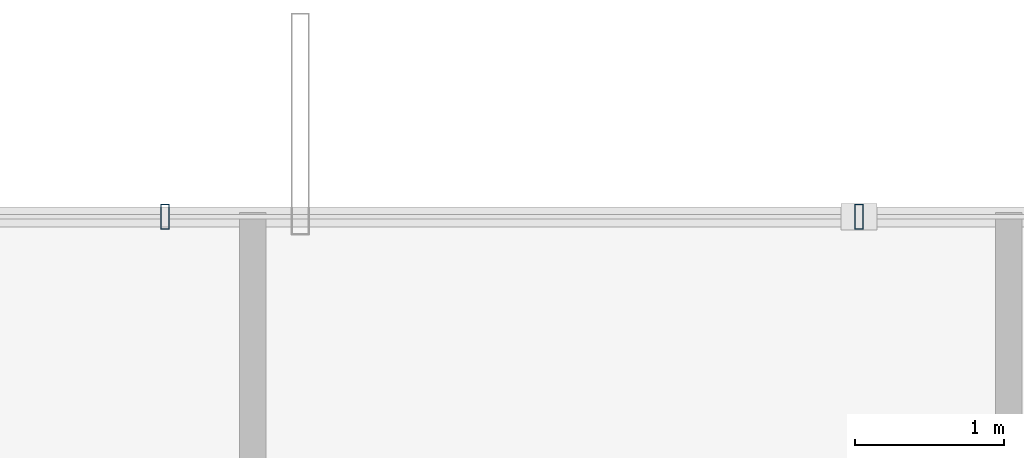
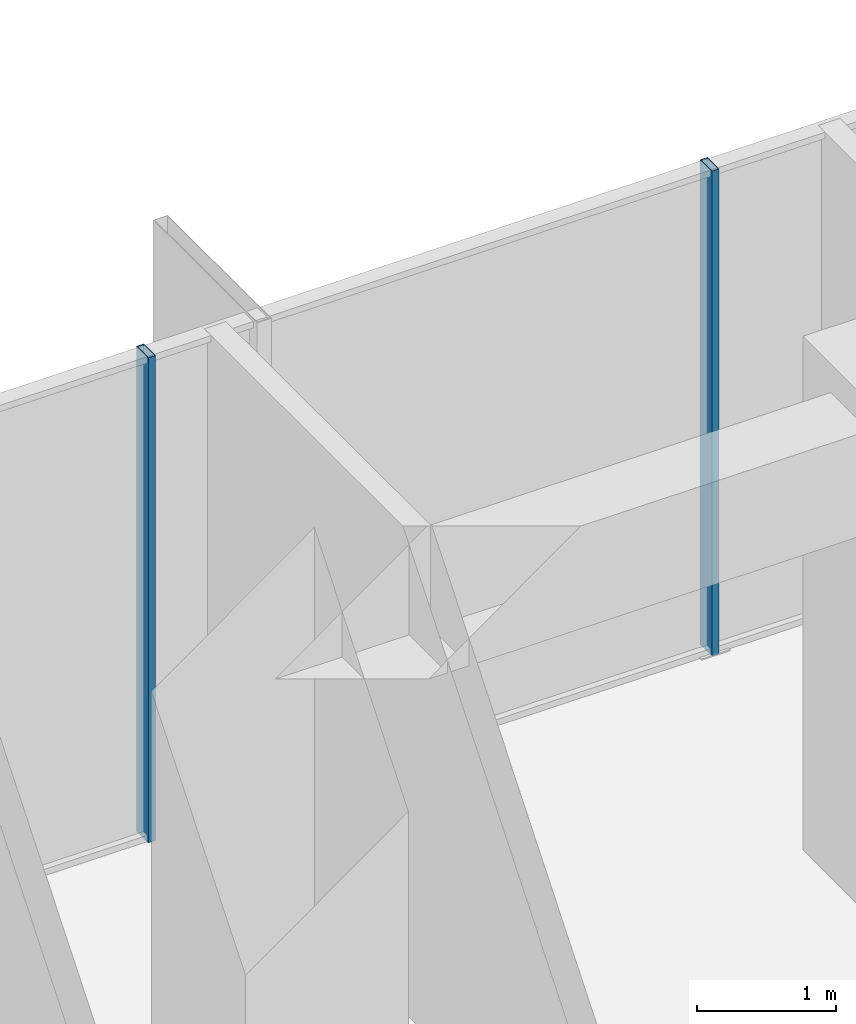
# One storey, part 27 of 39: 2 members, 1 element without a shape of its own.
"""IFC4 building model written with IfcOpenShell, lengths in metres."""

import ifcopenshell
import ifcopenshell.guid

model = None  # the IFC model being written
_history = None  # IfcOwnerHistory: only IFC2X3 demands one
_inside = {}  # id of a spatial element -> (the spatial element, [elements in it])
_under = {}  # id of a project, library or spatial element -> (it, [spatial elements below it])
_declared = {}  # id of a project -> (the project, [libraries it declares])
_typed = {}  # id of a type object -> (the type object, [elements of that type])
_made_of = {}  # id of a material, layer set ... -> (it, [elements and type objects made of it])


def new_model(schema):
    """Start an empty IFC model of exactly this schema.

    Asked for "IFC4X3", IfcOpenShell would pick the latest addendum, in which some entities
    have other attributes; the version numbers below select the first issue.
    IFC2X3 requires an IfcOwnerHistory on every rooted entity: one is made here for all.
    """
    global model, _history
    if schema == "IFC4X3":
        model = ifcopenshell.file(schema_version=(4, 3, 0, 0))
    else:
        model = ifcopenshell.file(schema=schema)
    _inside.clear()
    _under.clear()
    _declared.clear()
    _typed.clear()
    _made_of.clear()
    _history = None
    if model.schema == "IFC2X3":
        org = make("IfcOrganization", Name="unknown")
        user = make(
            "IfcPersonAndOrganization",
            ThePerson=make("IfcPerson", FamilyName="unknown"),
            TheOrganization=org,
        )
        app = make(
            "IfcApplication",
            ApplicationDeveloper=org,
            Version="unknown",
            ApplicationFullName="unknown",
            ApplicationIdentifier="unknown",
        )
        _history = make(
            "IfcOwnerHistory",
            OwningUser=user,
            OwningApplication=app,
            ChangeAction="ADDED",
            CreationDate=0,
        )
    return model


def make(cls, **values):
    """One entity of the class cls with the attributes given. An attribute that is None is left unset."""
    return model.create_entity(
        cls, **{name: value for name, value in values.items() if value is not None}
    )


def rooted(cls, **values):
    """An entity with a GlobalId (a new one), such as an element, a storey or a relation."""
    return make(cls, GlobalId=ifcopenshell.guid.new(), OwnerHistory=_history, **values)


def si_unit(unit_type, name, prefix=None):
    """IfcSIUnit, for example si_unit("LENGTHUNIT", "METRE", prefix="MILLI")."""
    return make("IfcSIUnit", UnitType=unit_type, Prefix=prefix, Name=name)


def assignment(units):
    """IfcUnitAssignment: the units of a project."""
    return None if units is None else make("IfcUnitAssignment", Units=units)


def point(xyz):
    """IfcCartesianPoint."""
    return None if xyz is None else make("IfcCartesianPoint", Coordinates=xyz)


def direction(xyz):
    """IfcDirection."""
    return None if xyz is None else make("IfcDirection", DirectionRatios=xyz)


def frame(location, z_axis=None, x_axis=None):
    """IfcAxis2Placement3D, a coordinate frame: its origin and axes. An axis left out is left unset."""
    return make(
        "IfcAxis2Placement3D",
        Location=point(location),
        Axis=direction(z_axis),
        RefDirection=direction(x_axis),
    )


def frame_2d(location, x_axis=None):
    """IfcAxis2Placement2D, a coordinate frame in the plane: its origin and x axis."""
    return make(
        "IfcAxis2Placement2D", Location=point(location), RefDirection=direction(x_axis)
    )


def origin():
    """The frame at (0, 0, 0) with its axes left unset."""
    return frame((0.0, 0.0, 0.0))


def origin_2d():
    """The frame at (0, 0) in the plane with its x axis left unset."""
    return frame_2d((0.0, 0.0))


def place(relative_to, where):
    """IfcLocalPlacement: puts the frame where relative to a parent placement (None: the world)."""
    return make(
        "IfcLocalPlacement", PlacementRelTo=relative_to, RelativePlacement=where
    )


def context(
    kind, dimensions, precision=None, world=None, true_north=None, identifier=None
):
    """IfcGeometricRepresentationContext, for example the 3D "Model" context."""
    return make(
        "IfcGeometricRepresentationContext",
        ContextIdentifier=identifier,
        ContextType=kind,
        CoordinateSpaceDimension=dimensions,
        Precision=precision,
        WorldCoordinateSystem=world,
        TrueNorth=true_north,
    )


def subcontext(parent, identifier, kind, view, scale=None):
    """IfcGeometricRepresentationSubContext, for example "Body" below "Model"."""
    return make(
        "IfcGeometricRepresentationSubContext",
        ContextIdentifier=identifier,
        ContextType=kind,
        ParentContext=parent,
        TargetScale=scale,
        TargetView=view,
    )


def project(units=None, contexts=None):
    """IfcProject with its units and contexts."""
    return rooted(
        "IfcProject",
        Name="project",
        RepresentationContexts=contexts,
        UnitsInContext=assignment(units),
    )


def spatial(cls, under=None, at=None, **own):
    """A site, building, storey or space (cls), placed at a placement, below another one or the project."""
    s = rooted(cls, ObjectPlacement=at, **own)
    if under is not None:
        _under.setdefault(under.id(), (under, []))[1].append(s)
    return s


def profile(cls, at=None, kind="AREA", **sizes):
    """A parametric profile (cls). Its sizes go by their IFC names, for example OverallWidth=200.0."""
    return make(cls, ProfileType=kind, Position=at, **sizes)


def hollow_rectangle(**sizes):
    """IfcRectangleHollowProfileDef."""
    return profile("IfcRectangleHollowProfileDef", **sizes)


def extrude(swept, where, along, depth):
    """IfcExtrudedAreaSolid: the profile swept, set in the frame where, extruded along a direction by depth."""
    return make(
        "IfcExtrudedAreaSolid",
        SweptArea=swept,
        Position=where,
        ExtrudedDirection=direction(along),
        Depth=depth,
    )


def shape(context_of_items, identifier, shape_type, items):
    """IfcShapeRepresentation: the items that make up one representation, for example the "Body"."""
    return make(
        "IfcShapeRepresentation",
        ContextOfItems=context_of_items,
        RepresentationIdentifier=identifier,
        RepresentationType=shape_type,
        Items=items,
    )


def source(mapping_origin, context_of_items, identifier, shape_type, items):
    """IfcRepresentationMap: a shape defined once, which mapped items show again and again."""
    return make(
        "IfcRepresentationMap",
        MappingOrigin=mapping_origin,
        MappedRepresentation=shape(context_of_items, identifier, shape_type, items),
    )


def transform(
    local_origin,
    x_axis=None,
    y_axis=None,
    z_axis=None,
    scale=None,
    scale2=None,
    scale3=None,
    uniform=True,
):
    """IfcCartesianTransformationOperator3D, or its non-uniform kind. x_axis, y_axis, z_axis: its Axis1, 2, 3."""
    if uniform:
        return make(
            "IfcCartesianTransformationOperator3D",
            Axis1=direction(x_axis),
            Axis2=direction(y_axis),
            LocalOrigin=point(local_origin),
            Scale=scale,
            Axis3=direction(z_axis),
        )
    return make(
        "IfcCartesianTransformationOperator3DnonUniform",
        Axis1=direction(x_axis),
        Axis2=direction(y_axis),
        LocalOrigin=point(local_origin),
        Scale=scale,
        Axis3=direction(z_axis),
        Scale2=scale2,
        Scale3=scale3,
    )


def mapped(mapping_source, mapping_target):
    """IfcMappedItem: shows the shape of a source again, moved by a transform."""
    return make(
        "IfcMappedItem", MappingSource=mapping_source, MappingTarget=mapping_target
    )


def material(Name=None, Category=None):
    """IfcMaterial."""
    return make("IfcMaterial", Name=Name, Category=Category)


def layer(
    of_material, thickness, ventilated=None, Name=None, Category=None, Priority=None
):
    """IfcMaterialLayer: one layer of a wall or slab, of a material (None: an air gap)."""
    return make(
        "IfcMaterialLayer",
        Material=of_material,
        LayerThickness=thickness,
        IsVentilated=ventilated,
        Name=Name,
        Category=Category,
        Priority=Priority,
    )


def layer_set(layers, Name=None):
    """IfcMaterialLayerSet."""
    return make("IfcMaterialLayerSet", MaterialLayers=layers, LayerSetName=Name)


def material_profile(
    of_material, cross_section, Name=None, Category=None, Priority=None
):
    """IfcMaterialProfile: a cross section and its material."""
    return make(
        "IfcMaterialProfile",
        Name=Name,
        Material=of_material,
        Profile=cross_section,
        Priority=Priority,
        Category=Category,
    )


def profile_set(profiles, Name=None, composite=None):
    """IfcMaterialProfileSet."""
    return make(
        "IfcMaterialProfileSet",
        Name=Name,
        MaterialProfiles=profiles,
        CompositeProfile=composite,
    )


def made_of(thing, what):
    """Note that an element or type object is made of a material, layer set ...; save() writes the relation."""
    if what is not None:
        _made_of.setdefault(what.id(), (what, []))[1].append(thing)
    return thing


def type_object(cls, material=None, **own):
    """A type object (cls), such as IfcWallType, which elements share."""
    return made_of(rooted(cls, **own), material)


def element(
    cls,
    number,
    at=None,
    inside=None,
    cuts=None,
    type_object=None,
    material=None,
    context=None,
    identifier="Body",
    shape_type=None,
    held_by="IfcProductDefinitionShape",
    body=None,
    shapes=None,
    **own,
):
    """One element of the class cls, such as IfcWall. Its Tag is "e" and its number.

    at: its placement. inside: the storey or other place that contains it. cuts: it is an
    opening in that element (IfcRelVoidsElement). A single representation is given by context,
    identifier, shape_type and body (its items); several are given by shapes. held_by: the class
    of the entity that holds the representations. save() writes the other relations.
    """
    e = rooted(cls, Tag="e%d" % number, ObjectPlacement=at, **own)
    if body is not None:
        shapes = [shape(context, identifier, shape_type, body)]
    if shapes is not None:
        e.Representation = make(held_by, Representations=shapes)
    if inside is not None:
        _inside.setdefault(inside.id(), (inside, []))[1].append(e)
    if cuts is not None:
        rooted(
            "IfcRelVoidsElement", RelatingBuildingElement=cuts, RelatedOpeningElement=e
        )
    if type_object is not None:
        _typed.setdefault(type_object.id(), (type_object, []))[1].append(e)
    return made_of(e, material)


def aggregate(whole, parts):
    """IfcRelAggregates: a whole, such as a stair, and the parts it consists of."""
    return rooted("IfcRelAggregates", RelatingObject=whole, RelatedObjects=parts)


def save(model, path):
    """Write the relations noted so far, then the file.

    IfcRelAggregates (storeys below a building ...), IfcRelContainedInSpatialStructure (elements
    in a storey), IfcRelDefinesByType, IfcRelAssociatesMaterial and IfcRelDeclares: one each for
    every whole, place, type object, material and project.
    """
    for whole, parts in _under.values():
        aggregate(whole, parts)
    for where, things in _inside.values():
        rooted(
            "IfcRelContainedInSpatialStructure",
            RelatedElements=things,
            RelatingStructure=where,
        )
    for kind, things in _typed.values():
        rooted("IfcRelDefinesByType", RelatedObjects=things, RelatingType=kind)
    for what, things in _made_of.values():
        rooted("IfcRelAssociatesMaterial", RelatedObjects=things, RelatingMaterial=what)
    for by, libraries in _declared.values():
        rooted("IfcRelDeclares", RelatingContext=by, RelatedDefinitions=libraries)
    model.write(path)


model = new_model("IFC4")

# Units and contexts
model_context = context("Model", 3, precision=1e-05, world=origin(), true_north=direction((0.0, 1.0)))
body_context = subcontext(model_context, "Body", "Model", "MODEL_VIEW")
ifc_project = project(units=[si_unit("LENGTHUNIT", "METRE"), si_unit("AREAUNIT", "SQUARE_METRE"), si_unit("VOLUMEUNIT", "CUBIC_METRE"), si_unit("PLANEANGLEUNIT", "RADIAN"), si_unit("MASSUNIT", "GRAM", prefix="KILO")], contexts=[model_context])

# Site, building, storey
site_placement = place(None, origin())
site = spatial("IfcSite", under=ifc_project, at=site_placement, CompositionType="ELEMENT")
building_placement = place(site_placement, origin())
building = spatial("IfcBuilding", under=site, at=building_placement, Name="Veraguas Prism Commons", CompositionType="ELEMENT")
storey_placement = place(building_placement, frame((0.0, 0.0, 22.800048828125)))
storey = spatial("IfcBuildingStorey", under=building, at=storey_placement, Name="L05", CompositionType="ELEMENT", Elevation=22.800048828125)

# Curtain wall, members
ifc_material = material(Name="Anodised aluminium EN AW-6063 T6", Category="aluminium")
ifc_layer = layer(ifc_material, 0.169921875, Name="Unitised Flush Curtain Wall Zone 1", Category="aluminium")
ifc_layer_set = layer_set([ifc_layer], Name="Anodised aluminium EN AW-6063 T6")
curtain_wall_type = type_object("IfcCurtainWallType", Name="Unitised Flush Curtain Wall Zone 1", PredefinedType="NOTDEFINED", material=ifc_layer_set)
curtain_wall_placement = place(storey_placement, origin())
curtain_wall = element("IfcCurtainWall", 1, at=curtain_wall_placement, inside=storey, type_object=curtain_wall_type, Name="Tower Facade Curtain Wall L05-F2", PredefinedType="NOTDEFINED")
ifc_material_profile = material_profile(ifc_material, hollow_rectangle(XDim=0.06005859375, YDim=0.169921875, WallThickness=0.00390625, at=origin_2d()), Name="AL60X170X4")
ifc_profile_set = profile_set([ifc_material_profile], Name="Anodised aluminium EN AW-6063 T6")
member_type = type_object("IfcMemberType", Name="Curtain Wall Mullion Lower AL 60x170x4", PredefinedType="MULLION", material=ifc_profile_set)
shared_shape = source(origin(), body_context, "Body", "SweptSolid", [
    extrude(hollow_rectangle(XDim=0.06005859375, YDim=0.169921875, WallThickness=0.00390625, at=origin_2d()), origin(), (0.0, 0.0, 1.0), 4.25),
])
member_1_placement = place(storey_placement, frame((24.0, 44.78466796875, 0.0), z_axis=(0.0, 0.0, 1.0), x_axis=(-1.0, 0.0, 0.0)))
member_1 = element("IfcMember", 2, at=member_1_placement, type_object=member_type, Name="CW-Z1 Mullion 3", PredefinedType="MULLION", context=body_context, shape_type="MappedRepresentation", body=[
    mapped(shared_shape, transform((0.0, 0.0, 0.0), scale=1.0)),
])
member_2_placement = place(storey_placement, frame((19.3291015625, 44.78466796875, 0.0), z_axis=(0.0, 0.0, 1.0), x_axis=(-1.0, 0.0, 0.0)))
member_2 = element("IfcMember", 3, at=member_2_placement, type_object=member_type, Name="CW-Z1 Mullion 4", PredefinedType="MULLION", context=body_context, shape_type="MappedRepresentation", body=[
    mapped(shared_shape, transform((0.0, 0.0, 0.0), scale=1.0)),
])
aggregate(curtain_wall, [member_1, member_2])

save(model, "model.ifc")
